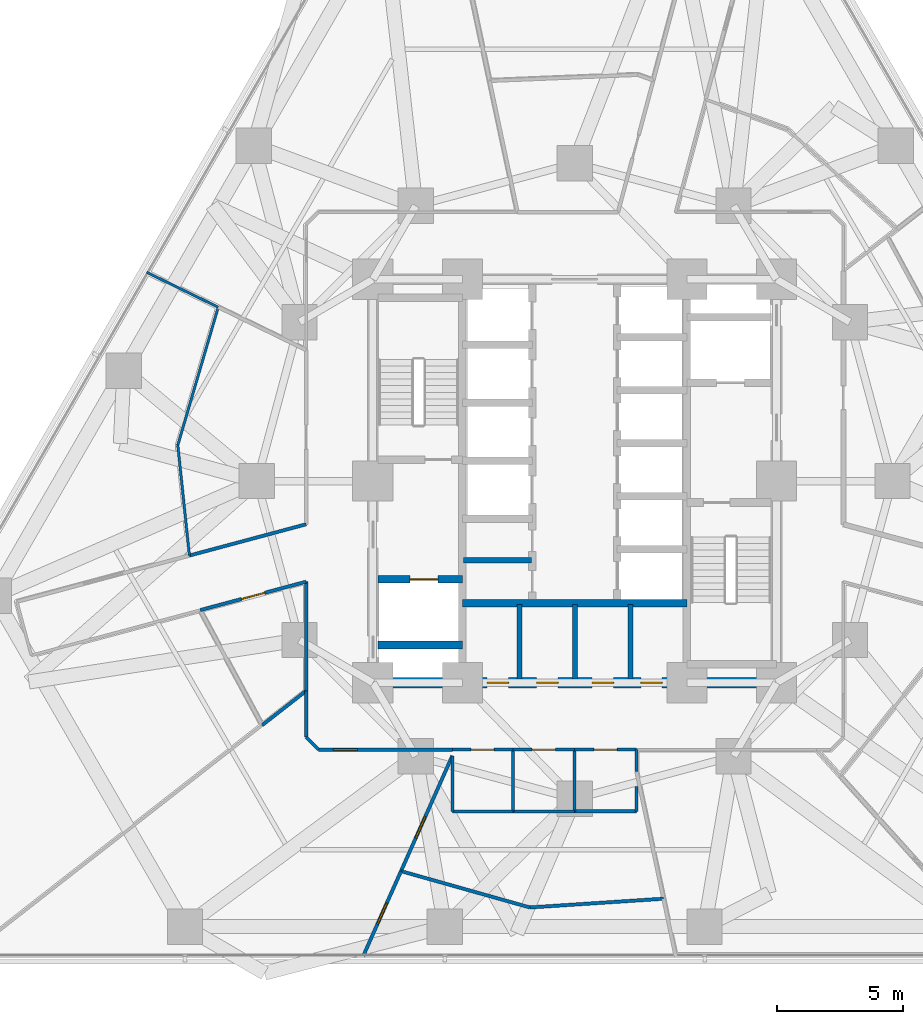
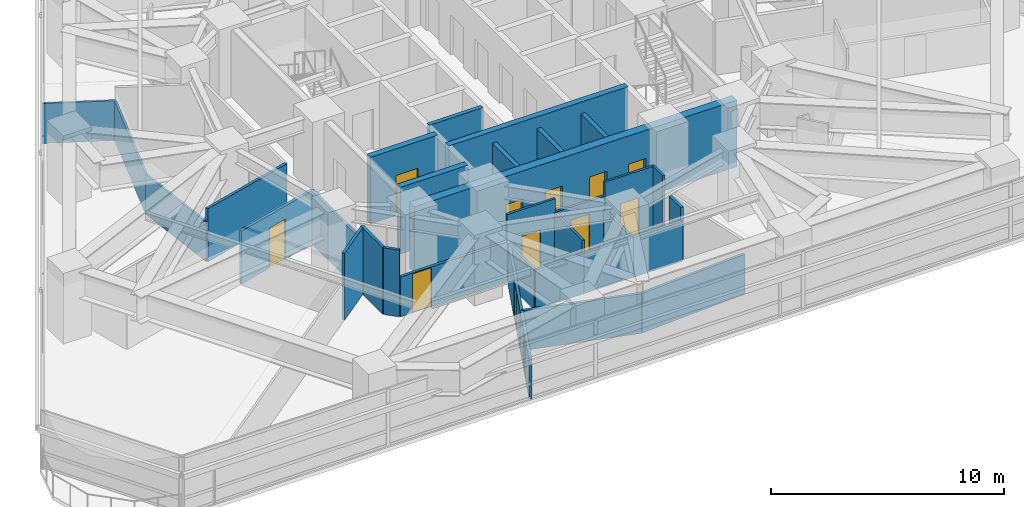
# One storey, part 8 of 15: 33 walls, 12 doors, 12 openings.
"""IFC4 building model written with IfcOpenShell, lengths in metres."""

from ifc_helpers import new_model, si_unit, direction, frame, frame_2d, origin, place, context, subcontext, project, spatial, rectangle, extrude, material, layer, layer_set, type_object, element, fill, save


model = new_model("IFC4")

# Units and contexts
model_context = context("Model", 3, precision=1e-05, world=origin(), true_north=direction((0.0, 1.0)))
body_context = subcontext(model_context, "Body", "Model", "MODEL_VIEW")
ifc_project = project(units=[si_unit("LENGTHUNIT", "METRE"), si_unit("AREAUNIT", "SQUARE_METRE"), si_unit("VOLUMEUNIT", "CUBIC_METRE"), si_unit("PLANEANGLEUNIT", "RADIAN"), si_unit("MASSUNIT", "GRAM", prefix="KILO")], contexts=[model_context])

# Site, building, storey
site_placement = place(None, origin())
site = spatial("IfcSite", under=ifc_project, at=site_placement, CompositionType="ELEMENT")
building_placement = place(site_placement, origin())
building = spatial("IfcBuilding", under=site, at=building_placement, Name="Terralouvre Media Tower", CompositionType="ELEMENT")
storey_placement = place(building_placement, frame((0.0, 0.0, 51.89990234375)))
storey = spatial("IfcBuildingStorey", under=building, at=storey_placement, Name="L12", CompositionType="ELEMENT", Elevation=51.89990234375)

# Wall, opening, door
ifc_material_1 = material(Name="Concrete C50/60", Category="concrete")
ifc_layer_1 = layer(ifc_material_1, 0.300048828125, Name="Core Internal Shaft Wall CW-300")
ifc_layer_set_1 = layer_set([ifc_layer_1], Name="Concrete C50/60")
wall_type_1 = type_object("IfcWallType", Name="Core Internal Shaft Wall CW-300", PredefinedType="SHEAR", material=ifc_layer_set_1)
wall_1_placement = place(storey_placement, frame((-7.7900390625, -3.89990234375, 0.0), z_axis=(0.0, 0.0, 1.0), x_axis=(1.0, 0.0, 0.0)))
wall_1 = element("IfcWall", 1, at=wall_1_placement, inside=storey, type_object=wall_type_1, Name="L12 Core Shaft Wall FF1N", PredefinedType="SHEAR", context=body_context, shape_type="SweptSolid", body=[
    extrude(rectangle(XDim=3.340087890625, YDim=0.300048828125, at=frame_2d((1.669921875, 0.0))), origin(), (0.0, 0.0, 1.0), 3.5),
])
opening_1_placement = place(wall_1_placement, frame((1.27001953125, 0.0, 0.0)))
opening_1 = element("IfcOpeningElement", 2, at=opening_1_placement, cuts=wall_1, Name="Opening LD-FF", PredefinedType="OPENING", context=body_context, shape_type="SweptSolid", body=[
    extrude(rectangle(XDim=1.10009765625, YDim=2.10009765625, at=frame_2d((0.550048828125, 1.050048828125))), frame((0.0, 0.159912109375, 0.0), z_axis=(0.0, -1.0, 0.0), x_axis=(1.0, 0.0, 0.0)), (0.0, 0.0, 1.0), 0.320068359375),
])
ifc_material_2 = material(Name="Stainless steel 316 handrail and balustrade", Category="steel")
door_type_1 = type_object("IfcDoorType", Name="Firefighting Lift Sliding Landing Door LD-FF", OperationType="SLIDING_TO_LEFT", PredefinedType="DOOR", material=ifc_material_2)
door_1_placement = place(opening_1_placement, origin())
door_1 = element("IfcDoor", 3, at=door_1_placement, inside=storey, type_object=door_type_1, Name="L12 Firefighting Lift FFL-01 Landing Door", OperationType="SLIDING_TO_LEFT", OverallHeight=2.10009765625, OverallWidth=1.10009765625, PredefinedType="DOOR", context=body_context, shape_type="SweptSolid", body=[
    extrude(rectangle(XDim=1.10009765625, YDim=2.10009765625, at=frame_2d((0.550048828125, 1.050048828125))), frame((0.0, 0.02490234375, 0.0), z_axis=(0.0, -1.0, 0.0), x_axis=(1.0, 0.0, 0.0)), (0.0, 0.0, 1.0), 0.050048828125),
])
fill(opening_1, door_1)

# Walls
wall_2_placement = place(storey_placement, frame((-7.7900390625, -6.5, 0.0), z_axis=(0.0, 0.0, 1.0), x_axis=(1.0, 0.0, 0.0)))
element("IfcWall", 4, at=wall_2_placement, inside=storey, type_object=wall_type_1, Name="L12 Core Shaft Wall FF1S", PredefinedType="SHEAR", context=body_context, shape_type="SweptSolid", body=[
    extrude(rectangle(XDim=3.340087890625, YDim=0.300048828125, at=frame_2d((1.669921875, 0.0))), origin(), (0.0, 0.0, 1.0), 3.5),
])
wall_3_placement = place(storey_placement, frame((-4.449951171875, -4.85009765625, 0.0), z_axis=(0.0, 0.0, 1.0), x_axis=(1.0, 0.0, 0.0)))
element("IfcWall", 5, at=wall_3_placement, inside=storey, type_object=wall_type_1, Name="L12 Core Shaft Wall CSBN", PredefinedType="SHEAR", context=body_context, shape_type="SweptSolid", body=[
    extrude(rectangle(XDim=8.89990234375, YDim=0.300048828125, at=frame_2d((4.449951171875, 0.0))), origin(), (0.0, 0.0, 1.0), 3.5),
])

# Wall, openings, doors
ifc_material_3 = material(Name="Concrete C60/75", Category="concrete")
ifc_layer_2 = layer(ifc_material_3, 0.419921875, Name="Core Reinforced Concrete Shear Wall CW-420")
ifc_layer_set_2 = layer_set([ifc_layer_2], Name="Concrete C60/75")
wall_type_2 = type_object("IfcWallType", Name="Core Reinforced Concrete Shear Wall CW-420", PredefinedType="SHEAR", material=ifc_layer_set_2)
wall_4_placement = place(storey_placement, frame((-8.0, -8.0, 0.0), z_axis=(0.0, 0.0, 1.0), x_axis=(1.0, 0.0, 0.0)))
wall_4 = element("IfcWall", 6, at=wall_4_placement, inside=storey, type_object=wall_type_2, Name="L12 S Core Shear Wall", PredefinedType="SHEAR", context=body_context, shape_type="SweptSolid", body=[
    extrude(rectangle(XDim=16.0, YDim=0.419921875, at=frame_2d((8.0, 0.0))), origin(), (0.0, 0.0, 1.0), 3.5),
])
opening_2_placement = place(wall_4_placement, frame((4.52880859375, 0.0, 0.0)))
opening_2 = element("IfcOpeningElement", 7, at=opening_2_placement, cuts=wall_4, Name="Opening TD-R1", PredefinedType="OPENING", context=body_context, shape_type="SweptSolid", body=[
    extrude(rectangle(XDim=0.85009765625, YDim=2.02001953125, at=frame_2d((0.425048828125, 1.010009765625))), frame((0.0, 0.219970703125, 0.0), z_axis=(0.0, -1.0, 0.0), x_axis=(1.0, 0.0, 0.0)), (0.0, 0.0, 1.0), 0.43994140625),
])
opening_3_placement = place(wall_4_placement, frame((6.489990234375, 0.0, 0.0)))
opening_3 = element("IfcOpeningElement", 8, at=opening_3_placement, cuts=wall_4, Name="Opening TD-R1", PredefinedType="OPENING", context=body_context, shape_type="SweptSolid", body=[
    extrude(rectangle(XDim=0.85009765625, YDim=2.02001953125, at=frame_2d((0.425048828125, 1.010009765625))), frame((0.0, 0.219970703125, 0.0), z_axis=(0.0, -1.0, 0.0), x_axis=(1.0, 0.0, 0.0)), (0.0, 0.0, 1.0), 0.43994140625),
])
opening_4_placement = place(wall_4_placement, frame((8.68994140625, 0.0, 0.0)))
opening_4 = element("IfcOpeningElement", 9, at=opening_4_placement, cuts=wall_4, Name="Opening TD-R1", PredefinedType="OPENING", context=body_context, shape_type="SweptSolid", body=[
    extrude(rectangle(XDim=0.85009765625, YDim=2.02001953125, at=frame_2d((0.425048828125, 1.010009765625))), frame((0.0, 0.219970703125, 0.0), z_axis=(0.0, -1.0, 0.0), x_axis=(1.0, 0.0, 0.0)), (0.0, 0.0, 1.0), 0.43994140625),
])
opening_5_placement = place(wall_4_placement, frame((10.62109375, 0.0, 0.0)))
opening_5 = element("IfcOpeningElement", 10, at=opening_5_placement, cuts=wall_4, Name="Opening TD-R1", PredefinedType="OPENING", context=body_context, shape_type="SweptSolid", body=[
    extrude(rectangle(XDim=0.85009765625, YDim=2.02001953125, at=frame_2d((0.425048828125, 1.010009765625))), frame((0.0, 0.219970703125, 0.0), z_axis=(0.0, -1.0, 0.0), x_axis=(1.0, 0.0, 0.0)), (0.0, 0.0, 1.0), 0.43994140625),
])
ifc_material_4 = material(Name="Galvanised steel fire-resisting leaf", Category="steel")
door_type_2 = type_object("IfcDoorType", Name="Riser Inspection Access Trapdoor TD-R1", OperationType="NOTDEFINED", PredefinedType="TRAPDOOR", material=ifc_material_4)
door_2_placement = place(opening_2_placement, origin())
door_2 = element("IfcDoor", 11, at=door_2_placement, inside=storey, type_object=door_type_2, Name="L12 Core Battery Plant Door", OperationType="SINGLE_SWING_LEFT", OverallHeight=2.02001953125, OverallWidth=0.85009765625, PredefinedType="TRAPDOOR", context=body_context, shape_type="SweptSolid", body=[
    extrude(rectangle(XDim=0.85009765625, YDim=2.02001953125, at=frame_2d((0.425048828125, 1.010009765625))), frame((0.0, 0.02490234375, 0.0), z_axis=(0.0, -1.0, 0.0), x_axis=(1.0, 0.0, 0.0)), (0.0, 0.0, 1.0), 0.050048828125),
])
fill(opening_2, door_2)
door_3_placement = place(opening_3_placement, origin())
door_3 = element("IfcDoor", 12, at=door_3_placement, inside=storey, type_object=door_type_2, Name="L12 Core IT Patch Plant Door", OperationType="SINGLE_SWING_RIGHT", OverallHeight=2.02001953125, OverallWidth=0.85009765625, PredefinedType="TRAPDOOR", context=body_context, shape_type="SweptSolid", body=[
    extrude(rectangle(XDim=0.85009765625, YDim=2.02001953125, at=frame_2d((0.425048828125, 1.010009765625))), frame((0.0, 0.02490234375, 0.0), z_axis=(0.0, -1.0, 0.0), x_axis=(1.0, 0.0, 0.0)), (0.0, 0.0, 1.0), 0.050048828125),
])
fill(opening_3, door_3)
door_4_placement = place(opening_4_placement, origin())
door_4 = element("IfcDoor", 13, at=door_4_placement, inside=storey, type_object=door_type_2, Name="L12 Core Housekeeping Store Door", OperationType="SINGLE_SWING_LEFT", OverallHeight=2.02001953125, OverallWidth=0.85009765625, PredefinedType="TRAPDOOR", context=body_context, shape_type="SweptSolid", body=[
    extrude(rectangle(XDim=0.85009765625, YDim=2.02001953125, at=frame_2d((0.425048828125, 1.010009765625))), frame((0.0, 0.02490234375, 0.0), z_axis=(0.0, -1.0, 0.0), x_axis=(1.0, 0.0, 0.0)), (0.0, 0.0, 1.0), 0.050048828125),
])
fill(opening_4, door_4)
door_5_placement = place(opening_5_placement, origin())
door_5 = element("IfcDoor", 14, at=door_5_placement, inside=storey, type_object=door_type_2, Name="L12 Core Smoke Damper Plant Door", OperationType="SINGLE_SWING_RIGHT", OverallHeight=2.02001953125, OverallWidth=0.85009765625, PredefinedType="TRAPDOOR", context=body_context, shape_type="SweptSolid", body=[
    extrude(rectangle(XDim=0.85009765625, YDim=2.02001953125, at=frame_2d((0.425048828125, 1.010009765625))), frame((0.0, 0.02490234375, 0.0), z_axis=(0.0, -1.0, 0.0), x_axis=(1.0, 0.0, 0.0)), (0.0, 0.0, 1.0), 0.050048828125),
])
fill(opening_5, door_5)

# Walls
ifc_material_5 = material(Name="Low-iron laminated double glazing with solar-control coating", Category="glass")
ifc_layer_3 = layer(ifc_material_5, 0.10009765625, Name="Demountable Glazed Office Partition PT-GL100")
ifc_layer_set_3 = layer_set([ifc_layer_3], Name="Low-iron laminated double glazing with solar-control coating")
wall_type_3 = type_object("IfcWallType", Name="Demountable Glazed Office Partition PT-GL100", PredefinedType="MOVABLE", material=ifc_layer_set_3)
wall_5_placement = place(storey_placement, frame((-15.27587890625, -2.9541015625, 0.0), z_axis=(0.0, 0.0, 1.0), x_axis=(-0.104560622475, 0.994518514774, 0.0)))
element("IfcWall", 15, at=wall_5_placement, inside=storey, type_object=wall_type_3, Name="L12 Interior Partition 054", PredefinedType="MOVABLE", context=body_context, shape_type="SweptSolid", body=[
    extrude(rectangle(XDim=4.4013671875, YDim=0.10009765625, at=frame_2d((2.20068359375, 0.0))), origin(), (0.0, 0.0, 1.0), 2.085205078125),
])
wall_6_placement = place(storey_placement, frame((-15.736083984375, 1.423095703125, 0.0), z_axis=(0.0, 0.0, 1.0), x_axis=(0.281231672123, 0.959639904649, 0.0)))
element("IfcWall", 16, at=wall_6_placement, inside=storey, type_object=wall_type_3, Name="L12 Interior Partition 055", PredefinedType="MOVABLE", context=body_context, shape_type="SweptSolid", body=[
    extrude(rectangle(XDim=5.699951171875, YDim=0.10009765625, at=frame_2d((2.85009765625, 0.0))), origin(), (0.0, 0.0, 1.0), 2.085205078125),
])
wall_7_placement = place(storey_placement, frame((-14.133056640625, 6.89306640625, 0.0), z_axis=(0.0, 0.0, 1.0), x_axis=(-0.898789989557, 0.438379464245, 0.0)))
element("IfcWall", 17, at=wall_7_placement, inside=storey, type_object=wall_type_3, Name="L12 Interior Partition 057", PredefinedType="MOVABLE", context=body_context, shape_type="SweptSolid", body=[
    extrude(rectangle(XDim=3.158203125, YDim=0.10009765625, at=frame_2d((1.5791015625, 0.0))), origin(), (0.0, 0.0, 1.0), 2.085205078125),
])
ifc_material_6 = material(Name="Fire-rated gypsum board drywall partition")
ifc_layer_4 = layer(ifc_material_6, 0.199951171875, Name="Fire-Rated Shaft and Lobby Partition FW-200")
ifc_layer_set_4 = layer_set([ifc_layer_4], Name="Fire-rated gypsum board drywall partition")
wall_type_4 = type_object("IfcWallType", Name="Fire-Rated Shaft and Lobby Partition FW-200", PredefinedType="SOLIDWALL", material=ifc_layer_set_4)
for number, where, z_axis, x_axis, name in (
    (18, (-2.179931640625, -7.85009765625, 0.0), (0.0, 0.0, 1.0), (0.0, 1.0, 0.0), "L12 Core Service Bay Partition 1"),
    (19, (0.02001953125, -7.85009765625, 0.0), (0.0, 0.0, 1.0), (0.0, 1.0, 0.0), "L12 Core Service Bay Partition 2"),
    (20, (2.219970703125, -7.85009765625, 0.0), (0.0, 0.0, 1.0), (0.0, 1.0, 0.0), "L12 Core Service Bay Partition 3"),
):
    element("IfcWall", number, at=place(storey_placement, frame(where, z_axis=z_axis, x_axis=x_axis)), inside=storey, type_object=wall_type_4, Name=name, PredefinedType="SOLIDWALL", context=body_context, shape_type="SweptSolid", body=[
        extrude(rectangle(XDim=2.9501953125, YDim=0.199951171875, at=frame_2d((1.47509765625, 0.0))), origin(), (0.0, 0.0, 1.0), 2.885009765625),
    ])
wall_8_placement = place(storey_placement, frame((-4.39990234375, -3.139892578125, 0.0), z_axis=(0.0, 0.0, 1.0), x_axis=(1.0, 0.0, 0.0)))
element("IfcWall", 21, at=wall_8_placement, inside=storey, type_object=wall_type_4, Name="L12 Core West Sub-Partition 1", PredefinedType="SOLIDWALL", context=body_context, shape_type="SweptSolid", body=[
    extrude(rectangle(XDim=2.679931640625, YDim=0.199951171875, at=frame_2d((1.33984375, 0.0))), origin(), (0.0, 0.0, 1.0), 3.5),
])

# Wall, opening, door
ifc_material_7 = material(Name="Fire-rated gypsum board drywall partition")
ifc_layer_5 = layer(ifc_material_7, 0.135009765625, Name="Newsroom Acoustic Partition PT-135")
ifc_layer_set_5 = layer_set([ifc_layer_5], Name="Fire-rated gypsum board drywall partition")
wall_type_5 = type_object("IfcWallType", Name="Newsroom Acoustic Partition PT-135", PredefinedType="PARTITIONING", material=ifc_layer_set_5)
wall_9_placement = place(storey_placement, frame((-14.85107421875, -5.117919921875, 0.0), z_axis=(0.0, 0.0, 1.0), x_axis=(0.965909963178, 0.258878239783, 0.0)))
wall_9 = element("IfcWall", 22, at=wall_9_placement, inside=storey, type_object=wall_type_5, Name="L12 Interior Partition 009", PredefinedType="PARTITIONING", context=body_context, shape_type="SweptSolid", body=[
    extrude(rectangle(XDim=4.349365234375, YDim=0.135009765625, at=frame_2d((2.1748046875, 0.0))), origin(), (0.0, 0.0, 1.0), 2.78515625),
])
opening_6_placement = place(wall_9_placement, frame((1.69970703125, 0.0, 0.0)))
opening_6 = element("IfcOpeningElement", 23, at=opening_6_placement, cuts=wall_9, Name="Opening ID-02-95X210", PredefinedType="OPENING", context=body_context, shape_type="SweptSolid", body=[
    extrude(rectangle(XDim=0.949951171875, YDim=2.10009765625, at=frame_2d((0.47509765625, 1.050048828125))), frame((0.0, 0.077392578125, 0.0), z_axis=(0.0, -1.0, 0.0), x_axis=(1.0, 0.0, 0.0)), (0.0, 0.0, 1.0), 0.155029296875),
])
ifc_material_8 = material(Name="Engineered hardwood acoustic timber leaf", Category="wood")
door_type_3 = type_object("IfcDoorType", Name="Office and Meeting Room Door ID-02 (950x2100)", OperationType="NOTDEFINED", PredefinedType="DOOR", material=ifc_material_8)
door_6_placement = place(opening_6_placement, origin())
door_6 = element("IfcDoor", 24, at=door_6_placement, inside=storey, type_object=door_type_3, Name="L12 Media Reference Library 3 Door", OperationType="SINGLE_SWING_RIGHT", OverallHeight=2.10009765625, OverallWidth=0.949951171875, PredefinedType="DOOR", context=body_context, shape_type="SweptSolid", body=[
    extrude(rectangle(XDim=0.949951171875, YDim=2.10009765625, at=frame_2d((0.47509765625, 1.050048828125))), frame((0.0, 0.02490234375, 0.0), z_axis=(0.0, -1.0, 0.0), x_axis=(1.0, 0.0, 0.0)), (0.0, 0.0, 1.0), 0.050048828125),
])
fill(opening_6, door_6)

# Walls
wall_10_placement = place(storey_placement, frame((-10.64990234375, -3.991943359375, 0.0), z_axis=(0.0, 0.0, 1.0), x_axis=(0.0, -1.0, 0.0)))
element("IfcWall", 25, at=wall_10_placement, inside=storey, type_object=wall_type_5, Name="L12 Interior Partition 010", PredefinedType="PARTITIONING", context=body_context, shape_type="SweptSolid", body=[
    extrude(rectangle(XDim=4.3291015625, YDim=0.135009765625, at=frame_2d((2.16455078125, 0.0))), origin(), (0.0, 0.0, 1.0), 2.78515625),
])
wall_11_placement = place(storey_placement, frame((-10.64990234375, -1.715087890625, 0.0), z_axis=(0.0, 0.0, 1.0), x_axis=(-0.965952601708, -0.258719097196, 0.0)))
element("IfcWall", 26, at=wall_11_placement, inside=storey, type_object=wall_type_5, Name="L12 Interior Partition 025", PredefinedType="PARTITIONING", context=body_context, shape_type="SweptSolid", body=[
    extrude(rectangle(XDim=4.7890625, YDim=0.135009765625, at=frame_2d((2.39453125, 0.0))), origin(), (0.0, 0.0, 1.0), 2.78515625),
])
wall_12_placement = place(storey_placement, frame((-10.64990234375, -8.321044921875, 0.0), z_axis=(0.0, 0.0, 1.0), x_axis=(0.0, -1.0, 0.0)))
element("IfcWall", 27, at=wall_12_placement, inside=storey, type_object=wall_type_5, Name="L12 Interior Partition 026", PredefinedType="PARTITIONING", context=body_context, shape_type="SweptSolid", body=[
    extrude(rectangle(XDim=1.828857421875, YDim=0.135009765625, at=frame_2d((0.91455078125, 0.0))), origin(), (0.0, 0.0, 1.0), 3.5),
])
wall_13_placement = place(storey_placement, frame((-10.64990234375, -10.14990234375, 0.0), z_axis=(0.0, 0.0, 1.0), x_axis=(0.707106781187, -0.707106781187, 0.0)))
element("IfcWall", 28, at=wall_13_placement, inside=storey, type_object=wall_type_5, Name="L12 Interior Partition 027", PredefinedType="PARTITIONING", context=body_context, shape_type="SweptSolid", body=[
    extrude(rectangle(XDim=0.70703125, YDim=0.135009765625, at=frame_2d((0.353515625, 0.0))), origin(), (0.0, 0.0, 1.0), 3.5),
])

# Wall, opening, door
wall_14_placement = place(storey_placement, frame((-10.14990234375, -10.64990234375, 0.0), z_axis=(0.0, 0.0, 1.0), x_axis=(1.0, 0.0, 0.0)))
wall_14 = element("IfcWall", 29, at=wall_14_placement, inside=storey, type_object=wall_type_5, Name="L12 Interior Partition 028", PredefinedType="PARTITIONING", context=body_context, shape_type="SweptSolid", body=[
    extrude(rectangle(XDim=5.2998046875, YDim=0.135009765625, at=frame_2d((2.64990234375, 0.0))), origin(), (0.0, 0.0, 1.0), 2.085205078125),
])
opening_7_placement = place(wall_14_placement, frame((0.5849609375, 0.0, 0.0)))
opening_7 = element("IfcOpeningElement", 30, at=opening_7_placement, cuts=wall_14, Name="Opening ID-02-95X206", PredefinedType="OPENING", context=body_context, shape_type="SweptSolid", body=[
    extrude(rectangle(XDim=0.949951171875, YDim=2.034912109375, at=frame_2d((0.47509765625, 1.017578125))), frame((0.0, 0.077392578125, 0.0), z_axis=(0.0, -1.0, 0.0), x_axis=(1.0, 0.0, 0.0)), (0.0, 0.0, 1.0), 0.155029296875),
])
ifc_material_9 = material(Name="Engineered hardwood acoustic timber leaf", Category="wood")
door_type_4 = type_object("IfcDoorType", Name="Office and Meeting Room Door ID-02 (950x2065)", OperationType="NOTDEFINED", PredefinedType="DOOR", material=ifc_material_9)
door_7_placement = place(opening_7_placement, origin())
door_7 = element("IfcDoor", 31, at=door_7_placement, inside=storey, type_object=door_type_4, Name="L12 Visiting Fellows Study 10 Door", OperationType="SINGLE_SWING_LEFT", OverallHeight=2.034912109375, OverallWidth=0.949951171875, PredefinedType="DOOR", context=body_context, shape_type="SweptSolid", body=[
    extrude(rectangle(XDim=0.949951171875, YDim=2.034912109375, at=frame_2d((0.47509765625, 1.017578125))), frame((0.0, 0.02490234375, 0.0), z_axis=(0.0, -1.0, 0.0), x_axis=(1.0, 0.0, 0.0)), (0.0, 0.0, 1.0), 0.050048828125),
])
fill(opening_7, door_7)

# Wall
wall_15_placement = place(storey_placement, frame((-12.39111328125, -9.680908203125, 0.0), z_axis=(0.0, 0.0, 1.0), x_axis=(0.788124883644, 0.615515367624, 0.0)))
element("IfcWall", 32, at=wall_15_placement, inside=storey, type_object=wall_type_5, Name="L12 Interior Partition 044", PredefinedType="PARTITIONING", context=body_context, shape_type="SweptSolid", body=[
    extrude(rectangle(XDim=2.209228515625, YDim=0.135009765625, at=frame_2d((1.1044921875, 0.0))), origin(), (0.0, 0.0, 1.0), 3.5),
])

# Wall, opening, door
wall_16_placement = place(storey_placement, frame((-8.38671875, -18.8369140625, 0.0), z_axis=(0.0, 0.0, 1.0), x_axis=(0.406721597958, 0.913552156012, 0.0)))
wall_16 = element("IfcWall", 33, at=wall_16_placement, inside=storey, type_object=wall_type_5, Name="L12 Interior Partition 059", PredefinedType="PARTITIONING", context=body_context, shape_type="SweptSolid", body=[
    extrude(rectangle(XDim=3.68994140625, YDim=0.135009765625, at=frame_2d((1.844970703125, 0.0))), origin(), (0.0, 0.0, 1.0), 2.085205078125),
])
opening_8_placement = place(wall_16_placement, frame((1.385009765625, 0.0, 0.0)))
opening_8 = element("IfcOpeningElement", 34, at=opening_8_placement, cuts=wall_16, Name="Opening ID-03-92X206", PredefinedType="OPENING", context=body_context, shape_type="SweptSolid", body=[
    extrude(rectangle(XDim=0.919921875, YDim=2.034912109375, at=frame_2d((0.4599609375, 1.017578125))), frame((0.0, 0.077392578125, 0.0), z_axis=(0.0, -1.0, 0.0), x_axis=(1.0, 0.0, 0.0)), (0.0, 0.0, 1.0), 0.155029296875),
])
ifc_material_10 = material(Name="Engineered hardwood acoustic timber leaf", Category="wood")
door_type_5 = type_object("IfcDoorType", Name="Accessible Restroom and Suite Door ID-03 (920x2065)", OperationType="NOTDEFINED", PredefinedType="DOOR", material=ifc_material_10)
door_8_placement = place(opening_8_placement, origin())
door_8 = element("IfcDoor", 35, at=door_8_placement, inside=storey, type_object=door_type_5, Name="L12 Admissions Reception 11 Door", OperationType="SINGLE_SWING_RIGHT", OverallHeight=2.034912109375, OverallWidth=0.919921875, PredefinedType="DOOR", context=body_context, shape_type="SweptSolid", body=[
    extrude(rectangle(XDim=0.919921875, YDim=2.034912109375, at=frame_2d((0.4599609375, 1.017578125))), frame((0.0, 0.02490234375, 0.0), z_axis=(0.0, -1.0, 0.0), x_axis=(1.0, 0.0, 0.0)), (0.0, 0.0, 1.0), 0.050048828125),
])
fill(opening_8, door_8)

wall_17_placement = place(storey_placement, frame((-6.885986328125, -15.466064453125, 0.0), z_axis=(0.0, 0.0, 1.0), x_axis=(0.406713095633, 0.913555941276, 0.0)))
wall_17 = element("IfcWall", 36, at=wall_17_placement, inside=storey, type_object=wall_type_5, Name="L12 Interior Partition 060", PredefinedType="PARTITIONING", context=body_context, shape_type="SweptSolid", body=[
    extrude(rectangle(XDim=5.005615234375, YDim=0.135009765625, at=frame_2d((2.5029296875, 0.0))), origin(), (0.0, 0.0, 1.0), 2.085205078125),
])
opening_9_placement = place(wall_17_placement, frame((1.442138671875, 0.0, 0.0)))
opening_9 = element("IfcOpeningElement", 37, at=opening_9_placement, cuts=wall_17, Name="Opening ID-03-92X206", PredefinedType="OPENING", context=body_context, shape_type="SweptSolid", body=[
    extrude(rectangle(XDim=0.919921875, YDim=2.034912109375, at=frame_2d((0.4599609375, 1.017578125))), frame((0.0, 0.077392578125, 0.0), z_axis=(0.0, -1.0, 0.0), x_axis=(1.0, 0.0, 0.0)), (0.0, 0.0, 1.0), 0.155029296875),
])
door_9_placement = place(opening_9_placement, origin())
door_9 = element("IfcDoor", 38, at=door_9_placement, inside=storey, type_object=door_type_5, Name="L12 Training Equipment Store 12 Door", OperationType="SINGLE_SWING_LEFT", OverallHeight=2.034912109375, OverallWidth=0.919921875, PredefinedType="DOOR", context=body_context, shape_type="SweptSolid", body=[
    extrude(rectangle(XDim=0.919921875, YDim=2.034912109375, at=frame_2d((0.4599609375, 1.017578125))), frame((0.0, 0.02490234375, 0.0), z_axis=(0.0, -1.0, 0.0), x_axis=(1.0, 0.0, 0.0)), (0.0, 0.0, 1.0), 0.050048828125),
])
fill(opening_9, door_9)

# Walls
wall_18_placement = place(storey_placement, frame((3.52001953125, -16.56005859375, 0.0), z_axis=(0.0, 0.0, 1.0), x_axis=(-0.99786221316, -0.065352915375, 0.0)))
element("IfcWall", 39, at=wall_18_placement, inside=storey, type_object=wall_type_5, Name="L12 Interior Partition 064", PredefinedType="PARTITIONING", context=body_context, shape_type="SweptSolid", body=[
    extrude(rectangle(XDim=5.308349609375, YDim=0.135009765625, at=frame_2d((2.654296875, 0.0))), origin(), (0.0, 0.0, 1.0), 2.085205078125),
])
wall_19_placement = place(storey_placement, frame((-1.777099609375, -16.906982421875, 0.0), z_axis=(0.0, 0.0, 1.0), x_axis=(-0.962452140865, 0.271451425757, 0.0)))
element("IfcWall", 40, at=wall_19_placement, inside=storey, type_object=wall_type_5, Name="L12 Interior Partition 065", PredefinedType="PARTITIONING", context=body_context, shape_type="SweptSolid", body=[
    extrude(rectangle(XDim=5.30810546875, YDim=0.135009765625, at=frame_2d((2.654052734375, 0.0))), origin(), (0.0, 0.0, 1.0), 2.085205078125),
])
wall_20_placement = place(storey_placement, frame((2.449951171875, -12.103271484375, 0.0), z_axis=(0.0, 0.0, 1.0), x_axis=(0.0, -1.0, 0.0)))
element("IfcWall", 41, at=wall_20_placement, inside=storey, type_object=wall_type_5, Name="L12 Interior Partition 069", PredefinedType="PARTITIONING", context=body_context, shape_type="SweptSolid", body=[
    extrude(rectangle(XDim=0.996826171875, YDim=0.135009765625, at=frame_2d((0.49853515625, 0.0))), origin(), (0.0, 0.0, 1.0), 2.78515625),
])
wall_21_placement = place(storey_placement, frame((2.449951171875, -13.10009765625, 0.0), z_axis=(0.0, 0.0, 1.0), x_axis=(-1.0, 0.0, 0.0)))
element("IfcWall", 42, at=wall_21_placement, inside=storey, type_object=wall_type_5, Name="L12 Interior Partition 070", PredefinedType="PARTITIONING", context=body_context, shape_type="SweptSolid", body=[
    extrude(rectangle(XDim=2.449951171875, YDim=0.135009765625, at=frame_2d((1.22509765625, 0.0))), origin(), (0.0, 0.0, 1.0), 2.085205078125),
])

# Wall, opening, door
ifc_material_11 = material(Name="Fire-rated gypsum board drywall partition")
ifc_layer_6 = layer(ifc_material_11, 0.114990234375, Name="Restroom and Pantry Partition PT-115")
ifc_layer_set_6 = layer_set([ifc_layer_6], Name="Fire-rated gypsum board drywall partition")
wall_type_6 = type_object("IfcWallType", Name="Restroom and Pantry Partition PT-115", PredefinedType="PARTITIONING", material=ifc_layer_set_6)
wall_22_placement = place(storey_placement, frame((-4.85009765625, -10.64990234375, 0.0), z_axis=(0.0, 0.0, 1.0), x_axis=(1.0, 0.0, 0.0)))
wall_22 = element("IfcWall", 43, at=wall_22_placement, inside=storey, type_object=wall_type_6, Name="L12 Interior Partition 029", PredefinedType="PARTITIONING", context=body_context, shape_type="SweptSolid", body=[
    extrude(rectangle(XDim=2.400146484375, YDim=0.114990234375, at=frame_2d((1.2001953125, 0.0))), origin(), (0.0, 0.0, 1.0), 3.5),
])
opening_10_placement = place(wall_22_placement, frame((0.739990234375, 0.0, 0.0)))
opening_10 = element("IfcOpeningElement", 44, at=opening_10_placement, cuts=wall_22, Name="Opening ID-03-92X210", PredefinedType="OPENING", context=body_context, shape_type="SweptSolid", body=[
    extrude(rectangle(XDim=0.919921875, YDim=2.10009765625, at=frame_2d((0.4599609375, 1.050048828125))), frame((0.0, 0.0673828125, 0.0), z_axis=(0.0, -1.0, 0.0), x_axis=(1.0, 0.0, 0.0)), (0.0, 0.0, 1.0), 0.135009765625),
])
ifc_material_12 = material(Name="Engineered hardwood acoustic timber leaf", Category="wood")
door_type_6 = type_object("IfcDoorType", Name="Accessible Restroom and Suite Door ID-03 (920x2100)", OperationType="NOTDEFINED", PredefinedType="DOOR", material=ifc_material_12)
door_10_placement = place(opening_10_placement, origin())
door_10 = element("IfcDoor", 45, at=door_10_placement, inside=storey, type_object=door_type_6, Name="L12 Male Restroom WC Door", OperationType="SINGLE_SWING_RIGHT", OverallHeight=2.10009765625, OverallWidth=0.919921875, PredefinedType="DOOR", context=body_context, shape_type="SweptSolid", body=[
    extrude(rectangle(XDim=0.919921875, YDim=2.10009765625, at=frame_2d((0.4599609375, 1.050048828125))), frame((0.0, 0.02490234375, 0.0), z_axis=(0.0, -1.0, 0.0), x_axis=(1.0, 0.0, 0.0)), (0.0, 0.0, 1.0), 0.050048828125),
])
fill(opening_10, door_10)

wall_23_placement = place(storey_placement, frame((-2.449951171875, -10.64990234375, 0.0), z_axis=(0.0, 0.0, 1.0), x_axis=(1.0, 0.0, 0.0)))
wall_23 = element("IfcWall", 46, at=wall_23_placement, inside=storey, type_object=wall_type_6, Name="L12 Interior Partition 030", PredefinedType="PARTITIONING", context=body_context, shape_type="SweptSolid", body=[
    extrude(rectangle(XDim=2.449951171875, YDim=0.114990234375, at=frame_2d((1.22509765625, 0.0))), origin(), (0.0, 0.0, 1.0), 2.78515625),
])
opening_11_placement = place(wall_23_placement, frame((0.764892578125, 0.0, 0.0)))
opening_11 = element("IfcOpeningElement", 47, at=opening_11_placement, cuts=wall_23, Name="Opening ID-03-92X210", PredefinedType="OPENING", context=body_context, shape_type="SweptSolid", body=[
    extrude(rectangle(XDim=0.919921875, YDim=2.10009765625, at=frame_2d((0.4599609375, 1.050048828125))), frame((0.0, 0.0673828125, 0.0), z_axis=(0.0, -1.0, 0.0), x_axis=(1.0, 0.0, 0.0)), (0.0, 0.0, 1.0), 0.135009765625),
])
door_11_placement = place(opening_11_placement, origin())
door_11 = element("IfcDoor", 48, at=door_11_placement, inside=storey, type_object=door_type_6, Name="L12 Female Restroom WC Door", OperationType="SINGLE_SWING_LEFT", OverallHeight=2.10009765625, OverallWidth=0.919921875, PredefinedType="DOOR", context=body_context, shape_type="SweptSolid", body=[
    extrude(rectangle(XDim=0.919921875, YDim=2.10009765625, at=frame_2d((0.4599609375, 1.050048828125))), frame((0.0, 0.02490234375, 0.0), z_axis=(0.0, -1.0, 0.0), x_axis=(1.0, 0.0, 0.0)), (0.0, 0.0, 1.0), 0.050048828125),
])
fill(opening_11, door_11)

wall_24_placement = place(storey_placement, frame((0.0, -10.64990234375, 0.0), z_axis=(0.0, 0.0, 1.0), x_axis=(1.0, 0.0, 0.0)))
wall_24 = element("IfcWall", 49, at=wall_24_placement, inside=storey, type_object=wall_type_6, Name="L12 Interior Partition 031", PredefinedType="PARTITIONING", context=body_context, shape_type="SweptSolid", body=[
    extrude(rectangle(XDim=2.449951171875, YDim=0.114990234375, at=frame_2d((1.22509765625, 0.0))), origin(), (0.0, 0.0, 1.0), 3.5),
])
opening_12_placement = place(wall_24_placement, frame((0.764892578125, 0.0, 0.0)))
opening_12 = element("IfcOpeningElement", 50, at=opening_12_placement, cuts=wall_24, Name="Opening ID-03-92X210", PredefinedType="OPENING", context=body_context, shape_type="SweptSolid", body=[
    extrude(rectangle(XDim=0.919921875, YDim=2.10009765625, at=frame_2d((0.4599609375, 1.050048828125))), frame((0.0, 0.0673828125, 0.0), z_axis=(0.0, -1.0, 0.0), x_axis=(1.0, 0.0, 0.0)), (0.0, 0.0, 1.0), 0.135009765625),
])
door_12_placement = place(opening_12_placement, origin())
door_12 = element("IfcDoor", 51, at=door_12_placement, inside=storey, type_object=door_type_6, Name="L12 Accessible Unisex WC Door", OperationType="SINGLE_SWING_RIGHT", OverallHeight=2.10009765625, OverallWidth=0.919921875, PredefinedType="DOOR", context=body_context, shape_type="SweptSolid", body=[
    extrude(rectangle(XDim=0.919921875, YDim=2.10009765625, at=frame_2d((0.4599609375, 1.050048828125))), frame((0.0, 0.02490234375, 0.0), z_axis=(0.0, -1.0, 0.0), x_axis=(1.0, 0.0, 0.0)), (0.0, 0.0, 1.0), 0.050048828125),
])
fill(opening_12, door_12)

# Walls
wall_25_placement = place(storey_placement, frame((-2.449951171875, -13.10009765625, 0.0), z_axis=(0.0, 0.0, 1.0), x_axis=(0.0, 1.0, 0.0)))
element("IfcWall", 52, at=wall_25_placement, inside=storey, type_object=wall_type_6, Name="L12 Interior Partition 061", PredefinedType="PARTITIONING", context=body_context, shape_type="SweptSolid", body=[
    extrude(rectangle(XDim=2.4501953125, YDim=0.114990234375, at=frame_2d((1.22509765625, 0.0))), origin(), (0.0, 0.0, 1.0), 2.78515625),
])
wall_26_placement = place(storey_placement, frame((-4.85009765625, -10.89306640625, 0.0), z_axis=(0.0, 0.0, 1.0), x_axis=(0.0, -1.0, 0.0)))
element("IfcWall", 53, at=wall_26_placement, inside=storey, type_object=wall_type_6, Name="L12 Interior Partition 062", PredefinedType="PARTITIONING", context=body_context, shape_type="SweptSolid", body=[
    extrude(rectangle(XDim=2.20703125, YDim=0.114990234375, at=frame_2d((1.103515625, 0.0))), origin(), (0.0, 0.0, 1.0), 2.085205078125),
])
wall_27_placement = place(storey_placement, frame((-4.85009765625, -13.10009765625, 0.0), z_axis=(0.0, 0.0, 1.0), x_axis=(1.0, 0.0, 0.0)))
element("IfcWall", 54, at=wall_27_placement, inside=storey, type_object=wall_type_6, Name="L12 Interior Partition 063", PredefinedType="PARTITIONING", context=body_context, shape_type="SweptSolid", body=[
    extrude(rectangle(XDim=2.400146484375, YDim=0.114990234375, at=frame_2d((1.2001953125, 0.0))), origin(), (0.0, 0.0, 1.0), 2.085205078125),
])
wall_28_placement = place(storey_placement, frame((-2.449951171875, -13.10009765625, 0.0), z_axis=(0.0, 0.0, 1.0), x_axis=(1.0, 0.0, 0.0)))
element("IfcWall", 55, at=wall_28_placement, inside=storey, type_object=wall_type_6, Name="L12 Interior Partition 067", PredefinedType="PARTITIONING", context=body_context, shape_type="SweptSolid", body=[
    extrude(rectangle(XDim=2.449951171875, YDim=0.114990234375, at=frame_2d((1.22509765625, 0.0))), origin(), (0.0, 0.0, 1.0), 2.085205078125),
])
wall_29_placement = place(storey_placement, frame((0.0, -13.10009765625, 0.0), z_axis=(0.0, 0.0, 1.0), x_axis=(0.0, 1.0, 0.0)))
element("IfcWall", 56, at=wall_29_placement, inside=storey, type_object=wall_type_6, Name="L12 Interior Partition 068", PredefinedType="PARTITIONING", context=body_context, shape_type="SweptSolid", body=[
    extrude(rectangle(XDim=2.4501953125, YDim=0.114990234375, at=frame_2d((1.22509765625, 0.0))), origin(), (0.0, 0.0, 1.0), 2.085205078125),
])
wall_30_placement = place(storey_placement, frame((2.449951171875, -11.52587890625, 0.0), z_axis=(0.0, 0.0, 1.0), x_axis=(0.0, 1.0, 0.0)))
element("IfcWall", 57, at=wall_30_placement, inside=storey, type_object=wall_type_6, Name="L12 Interior Partition 072", PredefinedType="PARTITIONING", context=body_context, shape_type="SweptSolid", body=[
    extrude(rectangle(XDim=0.8759765625, YDim=0.114990234375, at=frame_2d((0.43798828125, 0.0))), origin(), (0.0, 0.0, 1.0), 3.5),
])

save(model, "model.ifc")
